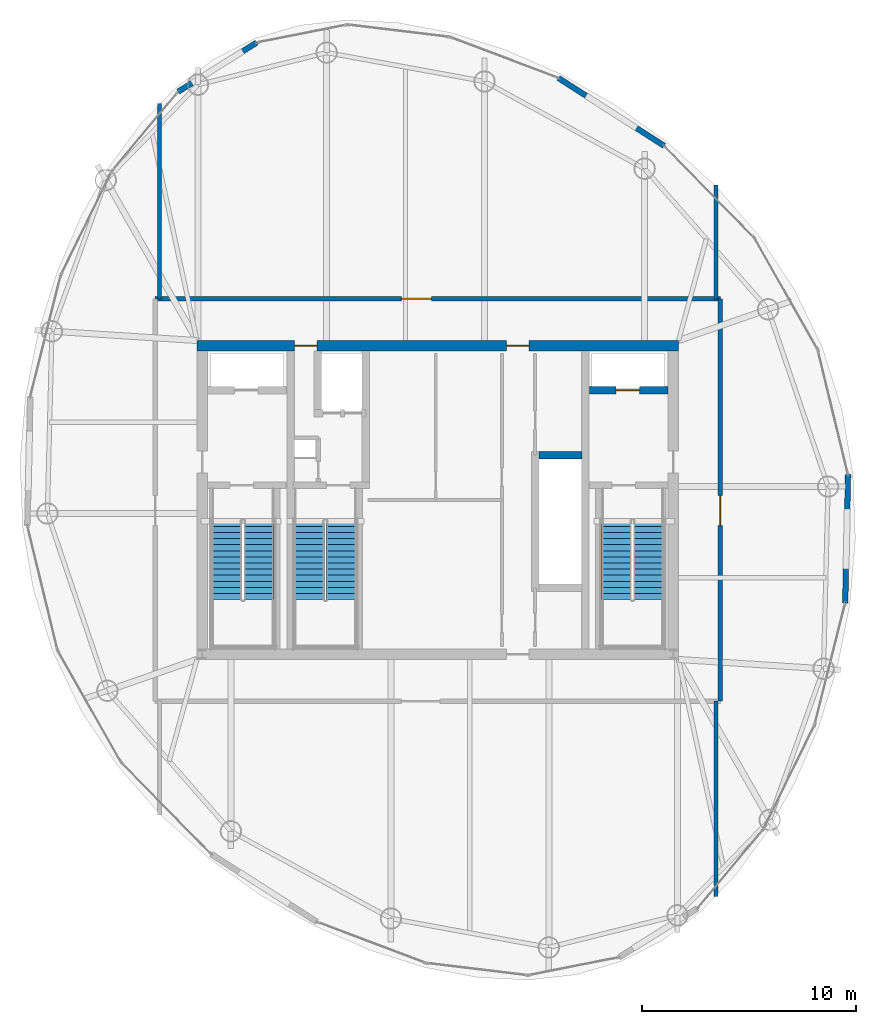
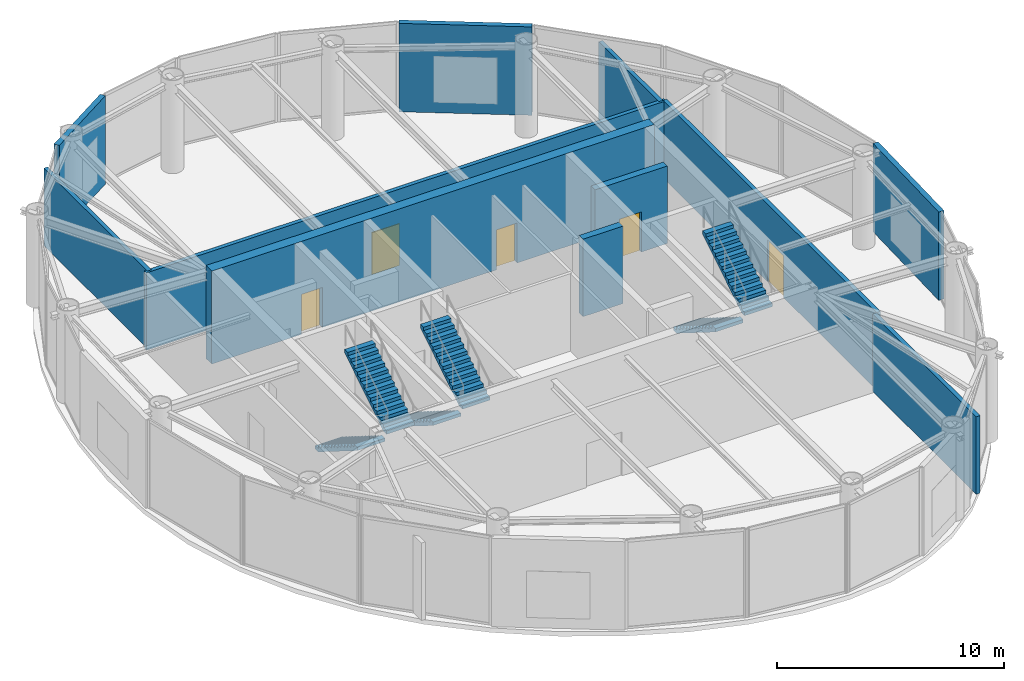
# One storey, part 19 of 23: 11 walls, 6 stair flights, 5 doors, 5 openings, 3 elements without a shape of their own.
"""IFC4 building model written with IfcOpenShell, lengths in metres."""

from ifc_helpers import new_model, si_unit, direction, frame, frame_2d, origin, place, context, subcontext, project, spatial, polyline, rectangle, outline, extrude, material, layer, layer_set, type_object, element, fill, aggregate, save


model = new_model("IFC4")

# Units and contexts
model_context = context("Model", 3, precision=1e-05, world=origin(), true_north=direction((0.0, 1.0)))
body_context = subcontext(model_context, "Body", "Model", "MODEL_VIEW")
ifc_project = project(units=[si_unit("LENGTHUNIT", "METRE"), si_unit("AREAUNIT", "SQUARE_METRE"), si_unit("VOLUMEUNIT", "CUBIC_METRE"), si_unit("PLANEANGLEUNIT", "RADIAN"), si_unit("MASSUNIT", "GRAM", prefix="KILO")], contexts=[model_context])

# Site, building, storey
site_placement = place(None, origin())
site = spatial("IfcSite", under=ifc_project, at=site_placement, CompositionType="ELEMENT")
building_placement = place(site_placement, origin())
building = spatial("IfcBuilding", under=site, at=building_placement, Name="Bramvorn Convention Spire", CompositionType="ELEMENT")
storey_placement = place(building_placement, frame((0.0, 0.0, 307.5)))
storey = spatial("IfcBuildingStorey", under=building, at=storey_placement, Name="L78", CompositionType="ELEMENT", Elevation=307.5)

# Wall, openings, doors
ifc_material_1 = material(Name="Concrete C50/60", Category="concrete")
ifc_layer_1 = layer(ifc_material_1, 0.5)
ifc_layer_set_1 = layer_set([ifc_layer_1], Name="Concrete C50/60 - WL-CORE-500")
wall_type_1 = type_object("IfcWallType", Name="WL-CORE-500", PredefinedType="SHEAR", material=ifc_layer_set_1)
wall_1_placement = place(storey_placement, frame((26.75, 33.199951171875, 0.0), z_axis=(0.0, 0.0, 1.0), x_axis=(1.0, 0.0, 0.0)))
wall_1 = element("IfcWall", 1, at=wall_1_placement, inside=storey, type_object=wall_type_1, Name="L78 North RC core shear wall", PredefinedType="SHEAR", context=body_context, shape_type="SweptSolid", body=[
    extrude(rectangle(XDim=22.5, YDim=0.5, at=frame_2d((11.25, 0.0))), origin(), (0.0, 0.0, 1.0), 5.0),
])
opening_1_placement = place(wall_1_placement, frame((4.570068359375, 0.0, 0.0)))
opening_1 = element("IfcOpeningElement", 2, at=opening_1_placement, cuts=wall_1, Name="Opening DL-105", PredefinedType="OPENING", context=body_context, shape_type="SweptSolid", body=[
    extrude(rectangle(XDim=1.050048828125, YDim=2.14990234375, at=frame_2d((0.52490234375, 1.074951171875))), frame((0.0, 0.260009765625, 0.0), z_axis=(0.0, -1.0, 0.0), x_axis=(1.0, 0.0, 0.0)), (0.0, 0.0, 1.0), 0.52001953125),
])
opening_2_placement = place(wall_1_placement, frame((14.469970703125, 0.0, 0.0)))
opening_2 = element("IfcOpeningElement", 3, at=opening_2_placement, cuts=wall_1, Name="Opening DL-105", PredefinedType="OPENING", context=body_context, shape_type="SweptSolid", body=[
    extrude(rectangle(XDim=1.050048828125, YDim=2.14990234375, at=frame_2d((0.52490234375, 1.074951171875))), frame((0.0, 0.260009765625, 0.0), z_axis=(0.0, -1.0, 0.0), x_axis=(1.0, 0.0, 0.0)), (0.0, 0.0, 1.0), 0.52001953125),
])
ifc_material_2 = material(Name="Smoke-Sealed Fire Lobby Timber-Core Door", Category="wood")
door_type_1 = type_object("IfcDoorType", Name="DR-LOBBY-1050", OperationType="NOTDEFINED", PredefinedType="DOOR", material=ifc_material_2)
door_1_placement = place(opening_1_placement, origin())
door_1 = element("IfcDoor", 4, at=door_1_placement, inside=storey, type_object=door_type_1, Name="L78 Service & Stair ST3 Lobby north corridor door", OperationType="SINGLE_SWING_LEFT", OverallHeight=2.14990234375, OverallWidth=1.050048828125, PredefinedType="DOOR", context=body_context, shape_type="SweptSolid", body=[
    extrude(rectangle(XDim=1.050048828125, YDim=2.14990234375, at=frame_2d((0.52490234375, 1.074951171875))), frame((0.0, 0.02490234375, 0.0), z_axis=(0.0, -1.0, 0.0), x_axis=(1.0, 0.0, 0.0)), (0.0, 0.0, 1.0), 0.050048828125),
])
fill(opening_1, door_1)
door_2_placement = place(opening_2_placement, origin())
door_2 = element("IfcDoor", 5, at=door_2_placement, inside=storey, type_object=door_type_1, Name="L78 North Lift Lobby fire door", OperationType="SINGLE_SWING_LEFT", OverallHeight=2.14990234375, OverallWidth=1.050048828125, PredefinedType="DOOR", context=body_context, shape_type="SweptSolid", body=[
    extrude(rectangle(XDim=1.050048828125, YDim=2.14990234375, at=frame_2d((0.52490234375, 1.074951171875))), frame((0.0, 0.02490234375, 0.0), z_axis=(0.0, -1.0, 0.0), x_axis=(1.0, 0.0, 0.0)), (0.0, 0.0, 1.0), 0.050048828125),
])
fill(opening_2, door_2)

# Wall, opening, door
ifc_layer_2 = layer(ifc_material_1, 0.35009765625)
ifc_layer_set_2 = layer_set([ifc_layer_2], Name="Concrete C50/60 - WL-CORE-INT-350")
wall_type_2 = type_object("IfcWallType", Name="WL-CORE-INT-350", PredefinedType="SHEAR", material=ifc_layer_set_2)
wall_2_placement = place(storey_placement, frame((45.080078125, 31.1201171875, 0.0), z_axis=(0.0, 0.0, 1.0), x_axis=(1.0, 0.0, 0.0)))
wall_2 = element("IfcWall", 6, at=wall_2_placement, inside=storey, type_object=wall_type_2, Name="L78 FE2 shaft front wall", PredefinedType="SHEAR", context=body_context, shape_type="SweptSolid", body=[
    extrude(rectangle(XDim=3.669921875, YDim=0.35009765625, at=frame_2d((1.8349609375, 0.0))), origin(), (0.0, 0.0, 1.0), 4.1650390625),
])
opening_3_placement = place(wall_2_placement, frame((1.25, 0.0, 0.0)))
opening_3 = element("IfcOpeningElement", 7, at=opening_3_placement, cuts=wall_2, Name="Opening LD-110", PredefinedType="OPENING", context=body_context, shape_type="SweptSolid", body=[
    extrude(rectangle(XDim=1.10009765625, YDim=2.14990234375, at=frame_2d((0.550048828125, 1.074951171875))), frame((0.0, 0.18505859375, 0.0), z_axis=(0.0, -1.0, 0.0), x_axis=(1.0, 0.0, 0.0)), (0.0, 0.0, 1.0), 0.3701171875),
])
ifc_material_3 = material(Name="Firefighting & Service Lift Sliding Landing Door", Category="steel")
door_type_2 = type_object("IfcDoorType", Name="DR-LIFT-LD-1100", OperationType="NOTDEFINED", PredefinedType="DOOR", material=ifc_material_3)
door_3_placement = place(opening_3_placement, origin())
door_3 = element("IfcDoor", 8, at=door_3_placement, inside=storey, type_object=door_type_2, Name="L78 Lift FE2 Sliding Landing Door", OperationType="SLIDING_TO_LEFT", OverallHeight=2.14990234375, OverallWidth=1.10009765625, PredefinedType="DOOR", context=body_context, shape_type="SweptSolid", body=[
    extrude(rectangle(XDim=1.10009765625, YDim=2.14990234375, at=frame_2d((0.550048828125, 1.074951171875))), frame((0.0, 0.02490234375, 0.0), z_axis=(0.0, -1.0, 0.0), x_axis=(1.0, 0.0, 0.0)), (0.0, 0.0, 1.0), 0.050048828125),
])
fill(opening_3, door_3)

# Walls
wall_3_placement = place(storey_placement, frame((42.719970703125, 28.10009765625, 0.0), z_axis=(0.0, 0.0, 1.0), x_axis=(1.0, 0.0, 0.0)))
element("IfcWall", 9, at=wall_3_placement, inside=storey, type_object=wall_type_2, Name="L78 High-rise lift bank north wall", PredefinedType="SHEAR", context=body_context, shape_type="SweptSolid", body=[
    extrude(rectangle(XDim=2.030029296875, YDim=0.35009765625, at=frame_2d((1.01513671875, 0.0))), origin(), (0.0, 0.0, 1.0), 4.1650390625),
])
ifc_material_4 = material(Name="Precast Concrete C40/50 Insulated Terrace Wall", Category="concrete")
ifc_layer_3 = layer(ifc_material_4, 0.280029296875)
ifc_layer_set_3 = layer_set([ifc_layer_3], Name="Precast Concrete C40/50 Insulated Terrace Wall - WL-EXT-TERR-280")
wall_type_3 = type_object("IfcWallType", Name="WL-EXT-TERR-280", PredefinedType="SOLIDWALL", material=ifc_layer_set_3)
wall_4_placement = place(storey_placement, frame((57.16796875, 27.192138671875, 0.0), z_axis=(0.0, 0.0, 1.0), x_axis=(-0.022040034886, -0.999757088928, 0.0)))
element("IfcWall", 10, at=wall_4_placement, inside=storey, type_object=wall_type_3, Name="L78 plant floor acoustic louvre breast wall 05", PredefinedType="SOLIDWALL", context=body_context, shape_type="SweptSolid", body=[
    extrude(rectangle(XDim=6.014892578125, YDim=0.260009765625, at=frame_2d((3.00732421875, 0.0))), origin(), (0.0, 0.0, 1.0), 4.75),
])
wall_5_placement = place(storey_placement, frame((43.64208984375, 45.71044921875, 0.0), z_axis=(0.0, 0.0, 1.0), x_axis=(0.841668009181, -0.539995335463, 0.0)))
element("IfcWall", 11, at=wall_5_placement, inside=storey, type_object=wall_type_3, Name="L78 plant floor acoustic louvre breast wall 09", PredefinedType="SOLIDWALL", context=body_context, shape_type="SweptSolid", body=[
    extrude(rectangle(XDim=5.861572265625, YDim=0.260009765625, at=frame_2d((2.9306640625, 0.0))), origin(), (0.0, 0.0, 1.0), 4.75),
])
wall_6_placement = place(storey_placement, frame((25.868896484375, 45.0703125, 0.0), z_axis=(0.0, 0.0, 1.0), x_axis=(0.847881091343, 0.530186434137, 0.0)))
element("IfcWall", 12, at=wall_6_placement, inside=storey, type_object=wall_type_3, Name="L78 plant floor acoustic louvre breast wall 13", PredefinedType="SOLIDWALL", context=body_context, shape_type="SweptSolid", body=[
    extrude(rectangle(XDim=4.330322265625, YDim=0.260009765625, at=frame_2d((2.1650390625, 0.0))), origin(), (0.0, 0.0, 1.0), 4.75),
])

# Wall, opening, door
ifc_material_5 = material(Name="Gypsum Shaftwall & Rockwool Core Partition", Category="gypsum")
ifc_layer_4 = layer(ifc_material_5, 0.199951171875)
ifc_layer_set_4 = layer_set([ifc_layer_4], Name="Gypsum Shaftwall & Rockwool Core Partition - WL-PART-200-FR")
wall_type_4 = type_object("IfcWallType", Name="WL-PART-200-FR", PredefinedType="PARTITIONING", material=ifc_layer_set_4)
wall_7_placement = place(storey_placement, frame((24.800048828125, 35.39990234375, 0.0), z_axis=(0.0, 0.0, 1.0), x_axis=(1.0, 0.0, 0.0)))
wall_7 = element("IfcWall", 13, at=wall_7_placement, inside=storey, type_object=wall_type_4, Name="L78 Plant corridor north wall", PredefinedType="PARTITIONING", context=body_context, shape_type="SweptSolid", body=[
    extrude(rectangle(XDim=26.39990234375, YDim=0.199951171875, at=frame_2d((13.199951171875, 0.0))), origin(), (0.0, 0.0, 1.0), 4.1650390625),
])
opening_4_placement = place(wall_7_placement, frame((11.5, 0.0, 0.0)))
opening_4 = element("IfcOpeningElement", 14, at=opening_4_placement, cuts=wall_7, Name="Opening DP-140", PredefinedType="OPENING", context=body_context, shape_type="SweptSolid", body=[
    extrude(rectangle(XDim=1.39990234375, YDim=2.25, at=frame_2d((0.699951171875, 1.125))), frame((0.0, 0.10986328125, 0.0), z_axis=(0.0, -1.0, 0.0), x_axis=(1.0, 0.0, 0.0)), (0.0, 0.0, 1.0), 0.219970703125),
])
ifc_material_6 = material(Name="Heavy-Duty Acoustic Louvre Plant Room Door", Category="steel")
door_type_3 = type_object("IfcDoorType", Name="DR-PLANT-1400", OperationType="NOTDEFINED", PredefinedType="DOOR", material=ifc_material_6)
door_4_placement = place(opening_4_placement, origin())
door_4 = element("IfcDoor", 15, at=door_4_placement, inside=storey, type_object=door_type_3, Name="L78 Dedicated Outdoor Air & ERV Plant door", OperationType="DOUBLE_DOOR_SINGLE_SWING", OverallHeight=2.25, OverallWidth=1.39990234375, PredefinedType="DOOR", context=body_context, shape_type="SweptSolid", body=[
    extrude(rectangle(XDim=1.39990234375, YDim=2.25, at=frame_2d((0.699951171875, 1.125))), frame((0.0, 0.02490234375, 0.0), z_axis=(0.0, -1.0, 0.0), x_axis=(1.0, 0.0, 0.0)), (0.0, 0.0, 1.0), 0.050048828125),
])
fill(opening_4, door_4)

wall_8_placement = place(storey_placement, frame((51.199951171875, 16.60009765625, 0.0), z_axis=(0.0, 0.0, 1.0), x_axis=(0.0, 1.0, 0.0)))
wall_8 = element("IfcWall", 16, at=wall_8_placement, inside=storey, type_object=wall_type_4, Name="L78 Plant corridor east wall", PredefinedType="PARTITIONING", context=body_context, shape_type="SweptSolid", body=[
    extrude(rectangle(XDim=18.7998046875, YDim=0.199951171875, at=frame_2d((9.39990234375, 0.0))), origin(), (0.0, 0.0, 1.0), 4.1650390625),
])
opening_5_placement = place(wall_8_placement, frame((8.199951171875, 0.0, 0.0)))
opening_5 = element("IfcOpeningElement", 17, at=opening_5_placement, cuts=wall_8, Name="Opening DP-140", PredefinedType="OPENING", context=body_context, shape_type="SweptSolid", body=[
    extrude(rectangle(XDim=1.39990234375, YDim=2.25, at=frame_2d((0.699951171875, 1.125))), frame((0.0, 0.10986328125, 0.0), z_axis=(0.0, -1.0, 0.0), x_axis=(1.0, 0.0, 0.0)), (0.0, 0.0, 1.0), 0.219970703125),
])
door_5_placement = place(opening_5_placement, origin())
door_5 = element("IfcDoor", 18, at=door_5_placement, inside=storey, type_object=door_type_3, Name="L78 High-Rise Electrical Substation & UPS door", OperationType="DOUBLE_DOOR_SINGLE_SWING", OverallHeight=2.25, OverallWidth=1.39990234375, PredefinedType="DOOR", context=body_context, shape_type="SweptSolid", body=[
    extrude(rectangle(XDim=1.39990234375, YDim=2.25, at=frame_2d((0.699951171875, 1.125))), frame((0.0, 0.02490234375, 0.0), z_axis=(0.0, -1.0, 0.0), x_axis=(1.0, 0.0, 0.0)), (0.0, 0.0, 1.0), 0.050048828125),
])
fill(opening_5, door_5)

# Walls
for number, where, z_axis, x_axis, name in (
    (19, (25.0, 35.39990234375, 0.0), (0.0, 0.0, 1.0), (0.0, 1.0, 0.0), "L78 Compartment fire wall"),
    (20, (51.0, 7.476806640625, 0.0), (0.0, 0.0, 1.0), (0.0, 1.0, 0.0), "L78 Compartment fire wall"),
):
    element("IfcWall", number, at=place(storey_placement, frame(where, z_axis=z_axis, x_axis=x_axis)), inside=storey, type_object=wall_type_4, Name=name, PredefinedType="PARTITIONING", context=body_context, shape_type="SweptSolid", body=[
        extrude(rectangle(XDim=9.123291015625, YDim=0.199951171875, at=frame_2d((4.5615234375, 0.0))), origin(), (0.0, 0.0, 1.0), 4.1650390625),
    ])
wall_9_placement = place(storey_placement, frame((51.0, 35.39990234375, 0.0), z_axis=(0.0, 0.0, 1.0), x_axis=(0.0, 1.0, 0.0)))
element("IfcWall", 21, at=wall_9_placement, inside=storey, type_object=wall_type_4, Name="L78 Compartment fire wall", PredefinedType="PARTITIONING", context=body_context, shape_type="SweptSolid", body=[
    extrude(rectangle(XDim=5.30908203125, YDim=0.199951171875, at=frame_2d((2.654541015625, 0.0))), origin(), (0.0, 0.0, 1.0), 4.1650390625),
])

# Stair, stair flights
ifc_material_7 = material(Name="Concrete C40/50 Precast Stair", Category="concrete")
stair_type = type_object("IfcStairType", Name="ST-TOWER-1550", PredefinedType="HALF_TURN_STAIR", material=ifc_material_7)
stair_1_placement = place(storey_placement, origin())
stair_1 = element("IfcStair", 22, at=stair_1_placement, inside=storey, type_object=stair_type, Name="L78 Protected Exit Stair ST1", PredefinedType="HALF_TURN_STAIR")
ifc_material_8 = material(Name="Concrete C40/50 Precast Stair Flight", Category="concrete")
stair_flight_type = type_object("IfcStairFlightType", Name="STF-TOWER-1550", PredefinedType="STRAIGHT", material=ifc_material_8)
stair_flight_1_placement = place(storey_placement, frame((28.155029296875, 25.050048828125, 0.0), z_axis=(0.0, 0.0, 1.0), x_axis=(0.0, -1.0, 0.0)))
stair_flight_1 = element("IfcStairFlight", 23, at=stair_flight_1_placement, type_object=stair_flight_type, Name="ST1 flight 1", NumberOfRisers=14, NumberOfTreads=13, PredefinedType="STRAIGHT", RiserHeight=0.178571429, TreadLength=0.285, context=body_context, shape_type="SweptSolid", body=[
    extrude(outline(polyline([(0.0, 0.0), (0.0, 0.178466796875), (0.284912109375, 0.178466796875), (0.284912109375, 0.357177734375), (0.570068359375, 0.357177734375), (0.570068359375, 0.53564453125), (0.85498046875, 0.53564453125), (0.85498046875, 0.71435546875), (1.139892578125, 0.71435546875), (1.139892578125, 0.892822265625), (1.425048828125, 0.892822265625), (1.425048828125, 1.071533203125), (1.7099609375, 1.071533203125), (1.7099609375, 1.25), (1.9951171875, 1.25), (1.9951171875, 1.428466796875), (2.280029296875, 1.428466796875), (2.280029296875, 1.607177734375), (2.56494140625, 1.607177734375), (2.56494140625, 1.78564453125), (2.85009765625, 1.78564453125), (2.85009765625, 1.96435546875), (3.135009765625, 1.96435546875), (3.135009765625, 2.142822265625), (3.419921875, 2.142822265625), (3.419921875, 2.321533203125), (3.705078125, 2.321533203125), (3.705078125, 2.5), (3.705078125, 2.14453125), (0.2822265625, 0.0), (0.0, 0.0)])), frame((0.0, 0.705078125, 0.0), z_axis=(0.0, -1.0, 0.0), x_axis=(1.0, 0.0, 0.0)), (0.0, 0.0, 1.0), 1.409912109375),
])
stair_flight_2_placement = place(storey_placement, frame((29.64501953125, 21.344970703125, 2.5), z_axis=(0.0, 0.0, 1.0), x_axis=(0.0, 1.0, 0.0)))
stair_flight_2 = element("IfcStairFlight", 24, at=stair_flight_2_placement, type_object=stair_flight_type, Name="ST1 flight 2", NumberOfRisers=14, NumberOfTreads=13, PredefinedType="STRAIGHT", RiserHeight=0.178571429, TreadLength=0.285, context=body_context, shape_type="SweptSolid", body=[
    extrude(outline(polyline([(0.0, 0.0), (0.0, 0.178466796875), (0.284912109375, 0.178466796875), (0.284912109375, 0.357177734375), (0.570068359375, 0.357177734375), (0.570068359375, 0.53564453125), (0.85498046875, 0.53564453125), (0.85498046875, 0.71435546875), (1.139892578125, 0.71435546875), (1.139892578125, 0.892822265625), (1.425048828125, 0.892822265625), (1.425048828125, 1.071533203125), (1.7099609375, 1.071533203125), (1.7099609375, 1.25), (1.9951171875, 1.25), (1.9951171875, 1.428466796875), (2.280029296875, 1.428466796875), (2.280029296875, 1.607177734375), (2.56494140625, 1.607177734375), (2.56494140625, 1.78564453125), (2.85009765625, 1.78564453125), (2.85009765625, 1.96435546875), (3.135009765625, 1.96435546875), (3.135009765625, 2.142822265625), (3.419921875, 2.142822265625), (3.419921875, 2.321533203125), (3.705078125, 2.321533203125), (3.705078125, 2.5), (3.705078125, 2.14453125), (0.2822265625, 0.0), (0.0, 0.0)])), frame((0.0, 0.705078125, 0.0), z_axis=(0.0, -1.0, 0.0), x_axis=(1.0, 0.0, 0.0)), (0.0, 0.0, 1.0), 1.409912109375),
])
aggregate(stair_1, [stair_flight_1, stair_flight_2])

stair_2_placement = place(storey_placement, origin())
stair_2 = element("IfcStair", 25, at=stair_2_placement, inside=storey, type_object=stair_type, Name="L78 Protected Exit Stair ST2", PredefinedType="HALF_TURN_STAIR")
stair_flight_3_placement = place(storey_placement, frame((46.35498046875, 25.050048828125, 0.0), z_axis=(0.0, 0.0, 1.0), x_axis=(0.0, -1.0, 0.0)))
stair_flight_3 = element("IfcStairFlight", 26, at=stair_flight_3_placement, type_object=stair_flight_type, Name="ST2 flight 1", NumberOfRisers=14, NumberOfTreads=13, PredefinedType="STRAIGHT", RiserHeight=0.178571429, TreadLength=0.285, context=body_context, shape_type="SweptSolid", body=[
    extrude(outline(polyline([(0.0, 0.0), (0.0, 0.178466796875), (0.284912109375, 0.178466796875), (0.284912109375, 0.357177734375), (0.570068359375, 0.357177734375), (0.570068359375, 0.53564453125), (0.85498046875, 0.53564453125), (0.85498046875, 0.71435546875), (1.139892578125, 0.71435546875), (1.139892578125, 0.892822265625), (1.425048828125, 0.892822265625), (1.425048828125, 1.071533203125), (1.7099609375, 1.071533203125), (1.7099609375, 1.25), (1.9951171875, 1.25), (1.9951171875, 1.428466796875), (2.280029296875, 1.428466796875), (2.280029296875, 1.607177734375), (2.56494140625, 1.607177734375), (2.56494140625, 1.78564453125), (2.85009765625, 1.78564453125), (2.85009765625, 1.96435546875), (3.135009765625, 1.96435546875), (3.135009765625, 2.142822265625), (3.419921875, 2.142822265625), (3.419921875, 2.321533203125), (3.705078125, 2.321533203125), (3.705078125, 2.5), (3.705078125, 2.14453125), (0.2822265625, 0.0), (0.0, 0.0)])), frame((0.0, 0.705078125, 0.0), z_axis=(0.0, -1.0, 0.0), x_axis=(1.0, 0.0, 0.0)), (0.0, 0.0, 1.0), 1.409912109375),
])
stair_flight_4_placement = place(storey_placement, frame((47.844970703125, 21.344970703125, 2.5), z_axis=(0.0, 0.0, 1.0), x_axis=(0.0, 1.0, 0.0)))
stair_flight_4 = element("IfcStairFlight", 27, at=stair_flight_4_placement, type_object=stair_flight_type, Name="ST2 flight 2", NumberOfRisers=14, NumberOfTreads=13, PredefinedType="STRAIGHT", RiserHeight=0.178571429, TreadLength=0.285, context=body_context, shape_type="SweptSolid", body=[
    extrude(outline(polyline([(0.0, 0.0), (0.0, 0.178466796875), (0.284912109375, 0.178466796875), (0.284912109375, 0.357177734375), (0.570068359375, 0.357177734375), (0.570068359375, 0.53564453125), (0.85498046875, 0.53564453125), (0.85498046875, 0.71435546875), (1.139892578125, 0.71435546875), (1.139892578125, 0.892822265625), (1.425048828125, 0.892822265625), (1.425048828125, 1.071533203125), (1.7099609375, 1.071533203125), (1.7099609375, 1.25), (1.9951171875, 1.25), (1.9951171875, 1.428466796875), (2.280029296875, 1.428466796875), (2.280029296875, 1.607177734375), (2.56494140625, 1.607177734375), (2.56494140625, 1.78564453125), (2.85009765625, 1.78564453125), (2.85009765625, 1.96435546875), (3.135009765625, 1.96435546875), (3.135009765625, 2.142822265625), (3.419921875, 2.142822265625), (3.419921875, 2.321533203125), (3.705078125, 2.321533203125), (3.705078125, 2.5), (3.705078125, 2.14453125), (0.2822265625, 0.0), (0.0, 0.0)])), frame((0.0, 0.705078125, 0.0), z_axis=(0.0, -1.0, 0.0), x_axis=(1.0, 0.0, 0.0)), (0.0, 0.0, 1.0), 1.409912109375),
])
aggregate(stair_2, [stair_flight_3, stair_flight_4])

stair_3_placement = place(storey_placement, origin())
stair_3 = element("IfcStair", 28, at=stair_3_placement, inside=storey, type_object=stair_type, Name="L78 Protected Exit Stair ST3", PredefinedType="HALF_TURN_STAIR")
stair_flight_5_placement = place(storey_placement, frame((32.0048828125, 25.050048828125, 0.0), z_axis=(0.0, 0.0, 1.0), x_axis=(0.0, -1.0, 0.0)))
stair_flight_5 = element("IfcStairFlight", 29, at=stair_flight_5_placement, type_object=stair_flight_type, Name="ST3 flight 1", NumberOfRisers=14, NumberOfTreads=13, PredefinedType="STRAIGHT", RiserHeight=0.178571429, TreadLength=0.285, context=body_context, shape_type="SweptSolid", body=[
    extrude(outline(polyline([(0.0, 0.0), (0.0, 0.178466796875), (0.284912109375, 0.178466796875), (0.284912109375, 0.357177734375), (0.570068359375, 0.357177734375), (0.570068359375, 0.53564453125), (0.85498046875, 0.53564453125), (0.85498046875, 0.71435546875), (1.139892578125, 0.71435546875), (1.139892578125, 0.892822265625), (1.425048828125, 0.892822265625), (1.425048828125, 1.071533203125), (1.7099609375, 1.071533203125), (1.7099609375, 1.25), (1.9951171875, 1.25), (1.9951171875, 1.428466796875), (2.280029296875, 1.428466796875), (2.280029296875, 1.607177734375), (2.56494140625, 1.607177734375), (2.56494140625, 1.78564453125), (2.85009765625, 1.78564453125), (2.85009765625, 1.96435546875), (3.135009765625, 1.96435546875), (3.135009765625, 2.142822265625), (3.419921875, 2.142822265625), (3.419921875, 2.321533203125), (3.705078125, 2.321533203125), (3.705078125, 2.5), (3.705078125, 2.14453125), (0.2822265625, 0.0), (0.0, 0.0)])), frame((0.0, 0.705078125, 0.0), z_axis=(0.0, -1.0, 0.0), x_axis=(1.0, 0.0, 0.0)), (0.0, 0.0, 1.0), 1.409912109375),
])
stair_flight_6_placement = place(storey_placement, frame((33.4951171875, 21.344970703125, 2.5), z_axis=(0.0, 0.0, 1.0), x_axis=(0.0, 1.0, 0.0)))
stair_flight_6 = element("IfcStairFlight", 30, at=stair_flight_6_placement, type_object=stair_flight_type, Name="ST3 flight 2", NumberOfRisers=14, NumberOfTreads=13, PredefinedType="STRAIGHT", RiserHeight=0.178571429, TreadLength=0.285, context=body_context, shape_type="SweptSolid", body=[
    extrude(outline(polyline([(0.0, 0.0), (0.0, 0.178466796875), (0.284912109375, 0.178466796875), (0.284912109375, 0.357177734375), (0.570068359375, 0.357177734375), (0.570068359375, 0.53564453125), (0.85498046875, 0.53564453125), (0.85498046875, 0.71435546875), (1.139892578125, 0.71435546875), (1.139892578125, 0.892822265625), (1.425048828125, 0.892822265625), (1.425048828125, 1.071533203125), (1.7099609375, 1.071533203125), (1.7099609375, 1.25), (1.9951171875, 1.25), (1.9951171875, 1.428466796875), (2.280029296875, 1.428466796875), (2.280029296875, 1.607177734375), (2.56494140625, 1.607177734375), (2.56494140625, 1.78564453125), (2.85009765625, 1.78564453125), (2.85009765625, 1.96435546875), (3.135009765625, 1.96435546875), (3.135009765625, 2.142822265625), (3.419921875, 2.142822265625), (3.419921875, 2.321533203125), (3.705078125, 2.321533203125), (3.705078125, 2.5), (3.705078125, 2.14453125), (0.2822265625, 0.0), (0.0, 0.0)])), frame((0.0, 0.705078125, 0.0), z_axis=(0.0, -1.0, 0.0), x_axis=(1.0, 0.0, 0.0)), (0.0, 0.0, 1.0), 1.409912109375),
])
aggregate(stair_3, [stair_flight_5, stair_flight_6])

save(model, "model.ifc")
